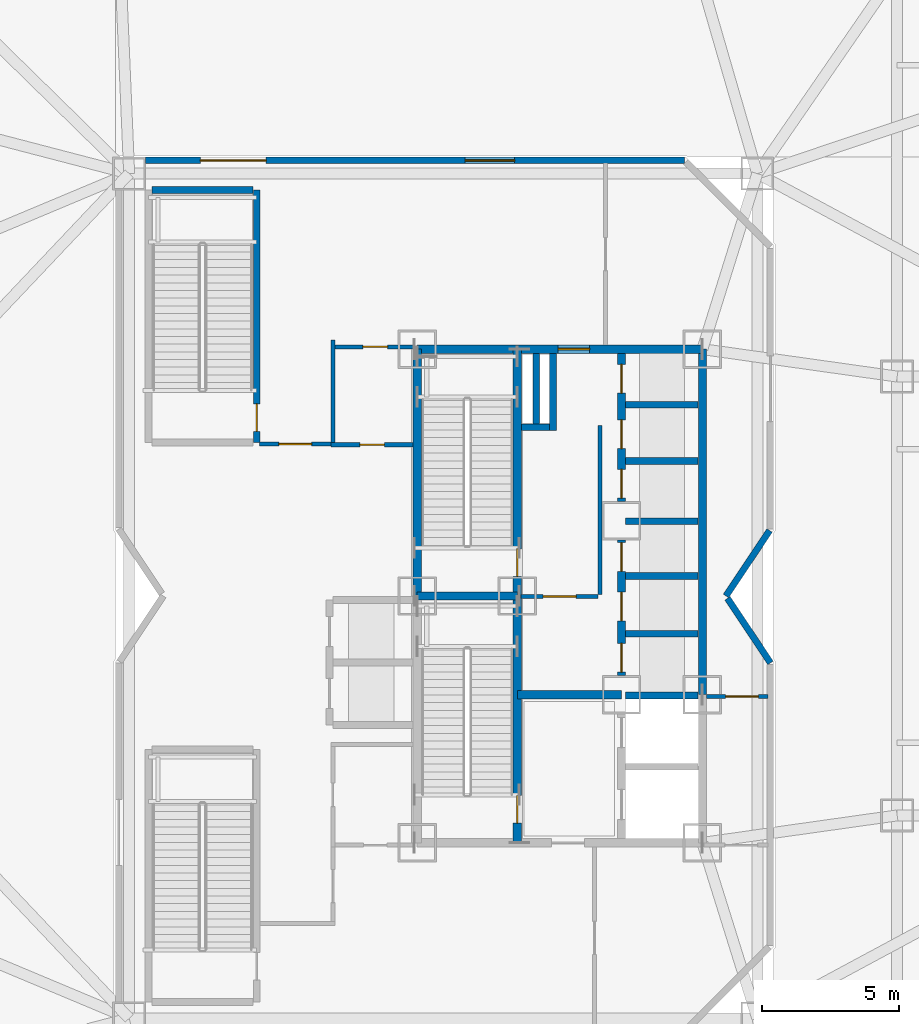
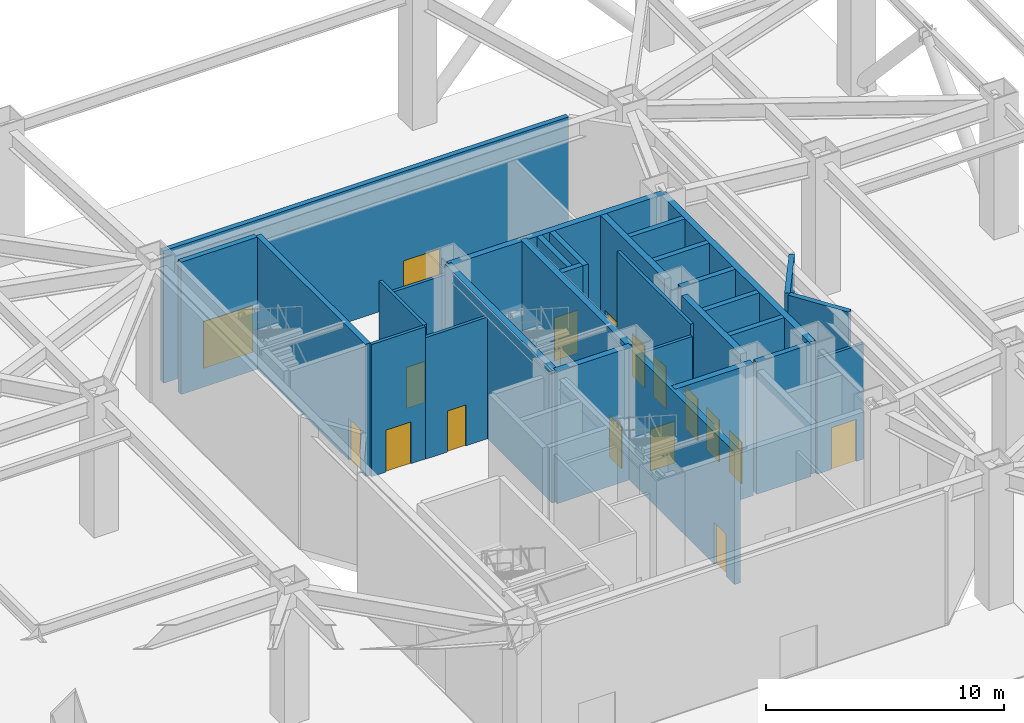
# One storey, part 10 of 14: 30 walls, 17 doors, 17 openings.
"""IFC4 building model written with IfcOpenShell, lengths in metres."""

from ifc_helpers import new_model, si_unit, direction, frame, frame_2d, origin, place, context, subcontext, project, spatial, rectangle, extrude, material, layer, layer_set, type_object, element, fill, save


model = new_model("IFC4")

# Units and contexts
model_context = context("Model", 3, precision=1e-05, world=origin(), true_north=direction((0.0, 1.0)))
body_context = subcontext(model_context, "Body", "Model", "MODEL_VIEW")
ifc_project = project(units=[si_unit("LENGTHUNIT", "METRE"), si_unit("AREAUNIT", "SQUARE_METRE"), si_unit("VOLUMEUNIT", "CUBIC_METRE"), si_unit("PLANEANGLEUNIT", "RADIAN"), si_unit("MASSUNIT", "GRAM", prefix="KILO")], contexts=[model_context])

# Site, building, storey
site_placement = place(None, origin())
site = spatial("IfcSite", under=ifc_project, at=site_placement, CompositionType="ELEMENT")
building_placement = place(site_placement, origin())
building = spatial("IfcBuilding", under=site, at=building_placement, Name="Khamvora Tower", CompositionType="ELEMENT")
storey_placement = place(building_placement, origin())
storey = spatial("IfcBuildingStorey", under=building, at=storey_placement, Name="L00", CompositionType="ELEMENT", Elevation=0.0)

# Wall
ifc_material_1 = material(Name="Concrete C50/60", Category="concrete")
ifc_layer_1 = layer(ifc_material_1, 0.300048828125)
ifc_layer_set_1 = layer_set([ifc_layer_1], Name="Concrete C50/60")
wall_type_1 = type_object("IfcWallType", Name="WAL-CORE-300", PredefinedType="SHEAR", material=ifc_layer_set_1)
wall_1_placement = place(storey_placement, frame((29.0, 28.0, 0.0), z_axis=(0.0, 0.0, 1.0), x_axis=(0.0, 1.0, 0.0)))
element("IfcWall", 1, at=wall_1_placement, inside=storey, type_object=wall_type_1, Name="L00 central core west north wall", PredefinedType="SHEAR", context=body_context, shape_type="SweptSolid", body=[
    extrude(rectangle(XDim=9.0, YDim=0.300048828125, at=frame_2d((4.5, 0.0))), origin(), (0.0, 0.0, 1.0), 6.780029296875),
])

# Wall, opening, door
wall_2_placement = place(storey_placement, frame((29.0, 37.0, 0.0), z_axis=(0.0, 0.0, 1.0), x_axis=(1.0, 0.0, 0.0)))
wall_2 = element("IfcWall", 2, at=wall_2_placement, inside=storey, type_object=wall_type_1, Name="L00 central core north wall", PredefinedType="SHEAR", context=body_context, shape_type="SweptSolid", body=[
    extrude(rectangle(XDim=10.39990234375, YDim=0.300048828125, at=frame_2d((5.199951171875, 0.0))), origin(), (0.0, 0.0, 1.0), 6.780029296875),
])
opening_1_placement = place(wall_2_placement, frame((5.139892578125, 0.0, 0.0)))
opening_1 = element("IfcOpeningElement", 3, at=opening_1_placement, cuts=wall_2, Name="Opening D-SC1", PredefinedType="OPENING", context=body_context, shape_type="SweptSolid", body=[
    extrude(rectangle(XDim=1.14990234375, YDim=2.199951171875, at=frame_2d((0.574951171875, 1.10009765625))), frame((0.0, 0.159912109375, 0.0), z_axis=(0.0, -1.0, 0.0), x_axis=(1.0, 0.0, 0.0)), (0.0, 0.0, 1.0), 0.320068359375),
])
ifc_material_2 = material(Name="Powder-Coated Steel and Hardwood Leaf", Category="steel")
door_type_1 = type_object("IfcDoorType", Name="DOR-SCHL-1150", OperationType="NOTDEFINED", PredefinedType="DOOR", material=ifc_material_2)
door_1_placement = place(opening_1_placement, origin())
door_1 = element("IfcDoor", 4, at=door_1_placement, inside=storey, type_object=door_type_1, Name="L00 north core lobby to corridor fire door", OperationType="SINGLE_SWING_LEFT", OverallHeight=2.199951171875, OverallWidth=1.14990234375, PredefinedType="DOOR", context=body_context, shape_type="SweptSolid", body=[
    extrude(rectangle(XDim=1.14990234375, YDim=2.199951171875, at=frame_2d((0.574951171875, 1.10009765625))), frame((0.0, 0.02490234375, 0.0), z_axis=(0.0, -1.0, 0.0), x_axis=(1.0, 0.0, 0.0)), (0.0, 0.0, 1.0), 0.050048828125),
])
fill(opening_1, door_1)

# Wall
wall_3_placement = place(storey_placement, frame((39.39990234375, 24.39990234375, 0.0), z_axis=(0.0, 0.0, 1.0), x_axis=(0.0, 1.0, 0.0)))
element("IfcWall", 5, at=wall_3_placement, inside=storey, type_object=wall_type_1, Name="L00 central core east north wall", PredefinedType="SHEAR", context=body_context, shape_type="SweptSolid", body=[
    extrude(rectangle(XDim=12.60009765625, YDim=0.300048828125, at=frame_2d((6.300048828125, 0.0))), origin(), (0.0, 0.0, 1.0), 6.780029296875),
])

# Wall, opening, door
wall_4_placement = place(storey_placement, frame((32.64990234375, 28.0, 0.0), z_axis=(0.0, 0.0, 1.0), x_axis=(0.0, -1.0, 0.0)))
wall_4 = element("IfcWall", 6, at=wall_4_placement, inside=storey, type_object=wall_type_1, Name="L00 central core stair south spine wall", PredefinedType="SHEAR", context=body_context, shape_type="SweptSolid", body=[
    extrude(rectangle(XDim=9.0, YDim=0.300048828125, at=frame_2d((4.5, 0.0))), origin(), (0.0, 0.0, 1.0), 6.780029296875),
])
opening_2_placement = place(wall_4_placement, frame((7.280029296875, 0.0, 0.0)))
opening_2 = element("IfcOpeningElement", 7, at=opening_2_placement, cuts=wall_4, Name="Opening D-ST1", PredefinedType="OPENING", context=body_context, shape_type="SweptSolid", body=[
    extrude(rectangle(XDim=1.0, YDim=2.14990234375, at=frame_2d((0.5, 1.074951171875))), frame((0.0, 0.159912109375, 0.0), z_axis=(0.0, -1.0, 0.0), x_axis=(1.0, 0.0, 0.0)), (0.0, 0.0, 1.0), 0.320068359375),
])
door_type_2 = type_object("IfcDoorType", Name="DOR-STAIR-1000", OperationType="NOTDEFINED", PredefinedType="DOOR", material=ifc_material_2)
door_2_placement = place(opening_2_placement, origin())
door_2 = element("IfcDoor", 8, at=door_2_placement, inside=storey, type_object=door_type_2, Name="L00 exit stair ST-01 fire door", OperationType="SINGLE_SWING_LEFT", OverallHeight=2.14990234375, OverallWidth=1.0, PredefinedType="DOOR", context=body_context, shape_type="SweptSolid", body=[
    extrude(rectangle(XDim=1.0, YDim=2.14990234375, at=frame_2d((0.5, 1.074951171875))), frame((0.0, 0.02490234375, 0.0), z_axis=(0.0, -1.0, 0.0), x_axis=(1.0, 0.0, 0.0)), (0.0, 0.0, 1.0), 0.050048828125),
])
fill(opening_2, door_2)

wall_5_placement = place(storey_placement, frame((32.64990234375, 37.0, 0.0), z_axis=(0.0, 0.0, 1.0), x_axis=(0.0, -1.0, 0.0)))
wall_5 = element("IfcWall", 9, at=wall_5_placement, inside=storey, type_object=wall_type_1, Name="L00 central core stair north spine wall", PredefinedType="SHEAR", context=body_context, shape_type="SweptSolid", body=[
    extrude(rectangle(XDim=9.0, YDim=0.300048828125, at=frame_2d((4.5, 0.0))), origin(), (0.0, 0.0, 1.0), 6.780029296875),
])
opening_3_placement = place(wall_5_placement, frame((7.280029296875, 0.0, 0.0)))
opening_3 = element("IfcOpeningElement", 10, at=opening_3_placement, cuts=wall_5, Name="Opening D-ST1", PredefinedType="OPENING", context=body_context, shape_type="SweptSolid", body=[
    extrude(rectangle(XDim=1.0, YDim=2.14990234375, at=frame_2d((0.5, 1.074951171875))), frame((0.0, 0.159912109375, 0.0), z_axis=(0.0, -1.0, 0.0), x_axis=(1.0, 0.0, 0.0)), (0.0, 0.0, 1.0), 0.320068359375),
])
door_3_placement = place(opening_3_placement, origin())
door_3 = element("IfcDoor", 11, at=door_3_placement, inside=storey, type_object=door_type_2, Name="L00 exit stair ST-02 fire door", OperationType="SINGLE_SWING_LEFT", OverallHeight=2.14990234375, OverallWidth=1.0, PredefinedType="DOOR", context=body_context, shape_type="SweptSolid", body=[
    extrude(rectangle(XDim=1.0, YDim=2.14990234375, at=frame_2d((0.5, 1.074951171875))), frame((0.0, 0.02490234375, 0.0), z_axis=(0.0, -1.0, 0.0), x_axis=(1.0, 0.0, 0.0)), (0.0, 0.0, 1.0), 0.050048828125),
])
fill(opening_3, door_3)

# Walls
wall_6_placement = place(storey_placement, frame((29.0, 28.0, 0.0), z_axis=(0.0, 0.0, 1.0), x_axis=(1.0, 0.0, 0.0)))
element("IfcWall", 12, at=wall_6_placement, inside=storey, type_object=wall_type_1, Name="L00 central core stair cross wall", PredefinedType="SHEAR", context=body_context, shape_type="SweptSolid", body=[
    extrude(rectangle(XDim=3.64990234375, YDim=0.300048828125, at=frame_2d((1.824951171875, 0.0))), origin(), (0.0, 0.0, 1.0), 6.780029296875),
])
wall_7_placement = place(storey_placement, frame((32.64990234375, 24.39990234375, 0.0), z_axis=(0.0, 0.0, 1.0), x_axis=(1.0, 0.0, 0.0)))
element("IfcWall", 13, at=wall_7_placement, inside=storey, type_object=wall_type_1, Name="L00 central core firefighting lobby north wall", PredefinedType="SHEAR", context=body_context, shape_type="SweptSolid", body=[
    extrude(rectangle(XDim=3.800048828125, YDim=0.300048828125, at=frame_2d((1.89990234375, 0.0))), origin(), (0.0, 0.0, 1.0), 6.780029296875),
])

# Wall, openings, doors
wall_8_placement = place(storey_placement, frame((36.449951171875, 25.10009765625, 0.0), z_axis=(0.0, 0.0, 1.0), x_axis=(0.0, 1.0, 0.0)))
wall_8 = element("IfcWall", 14, at=wall_8_placement, inside=storey, type_object=wall_type_1, Name="L00 central core lift bank central wall", PredefinedType="SHEAR", context=body_context, shape_type="SweptSolid", body=[
    extrude(rectangle(XDim=4.949951171875, YDim=0.300048828125, at=frame_2d((2.47509765625, 0.0))), origin(), (0.0, 0.0, 1.0), 6.780029296875),
])
opening_4_placement = place(wall_8_placement, frame((0.1201171875, 0.0, 0.0)))
opening_4 = element("IfcOpeningElement", 15, at=opening_4_placement, cuts=wall_8, Name="Opening LD-PL", PredefinedType="OPENING", context=body_context, shape_type="SweptSolid", body=[
    extrude(rectangle(XDim=1.050048828125, YDim=2.14990234375, at=frame_2d((0.52490234375, 1.074951171875))), frame((0.0, 0.159912109375, 0.0), z_axis=(0.0, -1.0, 0.0), x_axis=(1.0, 0.0, 0.0)), (0.0, 0.0, 1.0), 0.320068359375),
])
opening_5_placement = place(wall_8_placement, frame((1.9951171875, 0.0, 0.0)))
opening_5 = element("IfcOpeningElement", 16, at=opening_5_placement, cuts=wall_8, Name="Opening LD-PL", PredefinedType="OPENING", context=body_context, shape_type="SweptSolid", body=[
    extrude(rectangle(XDim=1.050048828125, YDim=2.14990234375, at=frame_2d((0.52490234375, 1.074951171875))), frame((0.0, 0.159912109375, 0.0), z_axis=(0.0, -1.0, 0.0), x_axis=(1.0, 0.0, 0.0)), (0.0, 0.0, 1.0), 0.320068359375),
])
opening_6_placement = place(wall_8_placement, frame((3.794921875, 0.0, 0.0)))
opening_6 = element("IfcOpeningElement", 17, at=opening_6_placement, cuts=wall_8, Name="Opening LD-PL", PredefinedType="OPENING", context=body_context, shape_type="SweptSolid", body=[
    extrude(rectangle(XDim=1.050048828125, YDim=2.14990234375, at=frame_2d((0.52490234375, 1.074951171875))), frame((0.0, 0.159912109375, 0.0), z_axis=(0.0, -1.0, 0.0), x_axis=(1.0, 0.0, 0.0)), (0.0, 0.0, 1.0), 0.320068359375),
])
door_type_3 = type_object("IfcDoorType", Name="DOR-LIFT-1050", OperationType="SLIDING_TO_LEFT", PredefinedType="DOOR", material=ifc_material_2)
door_4_placement = place(opening_4_placement, origin())
door_4 = element("IfcDoor", 18, at=door_4_placement, inside=storey, type_object=door_type_3, Name="L00 lift landing sliding door PL-01", OperationType="SLIDING_TO_LEFT", OverallHeight=2.14990234375, OverallWidth=1.050048828125, PredefinedType="DOOR", context=body_context, shape_type="SweptSolid", body=[
    extrude(rectangle(XDim=1.050048828125, YDim=2.14990234375, at=frame_2d((0.52490234375, 1.074951171875))), frame((0.0, 0.02490234375, 0.0), z_axis=(0.0, -1.0, 0.0), x_axis=(1.0, 0.0, 0.0)), (0.0, 0.0, 1.0), 0.050048828125),
])
fill(opening_4, door_4)
door_5_placement = place(opening_5_placement, origin())
door_5 = element("IfcDoor", 19, at=door_5_placement, inside=storey, type_object=door_type_3, Name="L00 lift landing sliding door PL-02", OperationType="SLIDING_TO_LEFT", OverallHeight=2.14990234375, OverallWidth=1.050048828125, PredefinedType="DOOR", context=body_context, shape_type="SweptSolid", body=[
    extrude(rectangle(XDim=1.050048828125, YDim=2.14990234375, at=frame_2d((0.52490234375, 1.074951171875))), frame((0.0, 0.02490234375, 0.0), z_axis=(0.0, -1.0, 0.0), x_axis=(1.0, 0.0, 0.0)), (0.0, 0.0, 1.0), 0.050048828125),
])
fill(opening_5, door_5)
door_6_placement = place(opening_6_placement, origin())
door_6 = element("IfcDoor", 20, at=door_6_placement, inside=storey, type_object=door_type_3, Name="L00 lift landing sliding door PL-03", OperationType="SLIDING_TO_LEFT", OverallHeight=2.14990234375, OverallWidth=1.050048828125, PredefinedType="DOOR", context=body_context, shape_type="SweptSolid", body=[
    extrude(rectangle(XDim=1.050048828125, YDim=2.14990234375, at=frame_2d((0.52490234375, 1.074951171875))), frame((0.0, 0.02490234375, 0.0), z_axis=(0.0, -1.0, 0.0), x_axis=(1.0, 0.0, 0.0)), (0.0, 0.0, 1.0), 0.050048828125),
])
fill(opening_6, door_6)

wall_9_placement = place(storey_placement, frame((36.449951171875, 31.449951171875, 0.0), z_axis=(0.0, 0.0, 1.0), x_axis=(0.0, 1.0, 0.0)))
wall_9 = element("IfcWall", 21, at=wall_9_placement, inside=storey, type_object=wall_type_1, Name="L00 central core lift bank north wall", PredefinedType="SHEAR", context=body_context, shape_type="SweptSolid", body=[
    extrude(rectangle(XDim=5.39599609375, YDim=0.300048828125, at=frame_2d((2.697998046875, 0.0))), origin(), (0.0, 0.0, 1.0), 6.780029296875),
])
opening_7_placement = place(wall_9_placement, frame((0.1201171875, 0.0, 0.0)))
opening_7 = element("IfcOpeningElement", 22, at=opening_7_placement, cuts=wall_9, Name="Opening LD-PL", PredefinedType="OPENING", context=body_context, shape_type="SweptSolid", body=[
    extrude(rectangle(XDim=1.050048828125, YDim=2.14990234375, at=frame_2d((0.52490234375, 1.074951171875))), frame((0.0, 0.159912109375, 0.0), z_axis=(0.0, -1.0, 0.0), x_axis=(1.0, 0.0, 0.0)), (0.0, 0.0, 1.0), 0.320068359375),
])
opening_8_placement = place(wall_9_placement, frame((1.925048828125, 0.0, 0.0)))
opening_8 = element("IfcOpeningElement", 23, at=opening_8_placement, cuts=wall_9, Name="Opening LD-PL", PredefinedType="OPENING", context=body_context, shape_type="SweptSolid", body=[
    extrude(rectangle(XDim=1.050048828125, YDim=2.14990234375, at=frame_2d((0.52490234375, 1.074951171875))), frame((0.0, 0.159912109375, 0.0), z_axis=(0.0, -1.0, 0.0), x_axis=(1.0, 0.0, 0.0)), (0.0, 0.0, 1.0), 0.320068359375),
])
opening_9_placement = place(wall_9_placement, frame((3.945068359375, 0.0, 0.0)))
opening_9 = element("IfcOpeningElement", 24, at=opening_9_placement, cuts=wall_9, Name="Opening LD-PL", PredefinedType="OPENING", context=body_context, shape_type="SweptSolid", body=[
    extrude(rectangle(XDim=1.050048828125, YDim=2.14990234375, at=frame_2d((0.52490234375, 1.074951171875))), frame((0.0, 0.159912109375, 0.0), z_axis=(0.0, -1.0, 0.0), x_axis=(1.0, 0.0, 0.0)), (0.0, 0.0, 1.0), 0.320068359375),
])
door_7_placement = place(opening_7_placement, origin())
door_7 = element("IfcDoor", 25, at=door_7_placement, inside=storey, type_object=door_type_3, Name="L00 lift landing sliding door PH-01", OperationType="SLIDING_TO_LEFT", OverallHeight=2.14990234375, OverallWidth=1.050048828125, PredefinedType="DOOR", context=body_context, shape_type="SweptSolid", body=[
    extrude(rectangle(XDim=1.050048828125, YDim=2.14990234375, at=frame_2d((0.52490234375, 1.074951171875))), frame((0.0, 0.02490234375, 0.0), z_axis=(0.0, -1.0, 0.0), x_axis=(1.0, 0.0, 0.0)), (0.0, 0.0, 1.0), 0.050048828125),
])
fill(opening_7, door_7)
door_8_placement = place(opening_8_placement, origin())
door_8 = element("IfcDoor", 26, at=door_8_placement, inside=storey, type_object=door_type_3, Name="L00 lift landing sliding door PH-02", OperationType="SLIDING_TO_LEFT", OverallHeight=2.14990234375, OverallWidth=1.050048828125, PredefinedType="DOOR", context=body_context, shape_type="SweptSolid", body=[
    extrude(rectangle(XDim=1.050048828125, YDim=2.14990234375, at=frame_2d((0.52490234375, 1.074951171875))), frame((0.0, 0.02490234375, 0.0), z_axis=(0.0, -1.0, 0.0), x_axis=(1.0, 0.0, 0.0)), (0.0, 0.0, 1.0), 0.050048828125),
])
fill(opening_8, door_8)
door_9_placement = place(opening_9_placement, origin())
door_9 = element("IfcDoor", 27, at=door_9_placement, inside=storey, type_object=door_type_3, Name="L00 lift landing sliding door PH-03", OperationType="SLIDING_TO_LEFT", OverallHeight=2.14990234375, OverallWidth=1.050048828125, PredefinedType="DOOR", context=body_context, shape_type="SweptSolid", body=[
    extrude(rectangle(XDim=1.050048828125, YDim=2.14990234375, at=frame_2d((0.52490234375, 1.074951171875))), frame((0.0, 0.02490234375, 0.0), z_axis=(0.0, -1.0, 0.0), x_axis=(1.0, 0.0, 0.0)), (0.0, 0.0, 1.0), 0.050048828125),
])
fill(opening_9, door_9)

# Wall
ifc_material_3 = material(Name="Fire-Rated Drywall and Steel Stud", Category="steel")
ifc_layer_2 = layer(ifc_material_3, 0.14990234375)
ifc_layer_set_2 = layer_set([ifc_layer_2], Name="Fire-Rated Drywall and Steel Stud")
wall_type_2 = type_object("IfcWallType", Name="WAL-CORR-150", PredefinedType="STANDARD", material=ifc_layer_set_2)
wall_10_placement = place(storey_placement, frame((35.6650390625, 34.214111328125, 0.0), z_axis=(0.0, 0.0, 1.0), x_axis=(0.0, -1.0, 0.0)))
element("IfcWall", 28, at=wall_10_placement, inside=storey, type_object=wall_type_2, Name="L00 interior partition wall 001", PredefinedType="STANDARD", context=body_context, shape_type="SweptSolid", body=[
    extrude(rectangle(XDim=6.1640625, YDim=0.14990234375, at=frame_2d((3.08203125, 0.0))), origin(), (0.0, 0.0, 1.0), 6.780029296875),
])

# Wall, opening, door
wall_11_placement = place(storey_placement, frame((35.60009765625, 27.985107421875, 0.0), z_axis=(0.0, 0.0, 1.0), x_axis=(-1.0, 0.0, 0.0)))
wall_11 = element("IfcWall", 29, at=wall_11_placement, inside=storey, type_object=wall_type_2, Name="L00 interior partition wall 002", PredefinedType="STANDARD", context=body_context, shape_type="SweptSolid", body=[
    extrude(rectangle(XDim=2.80615234375, YDim=0.14990234375, at=frame_2d((1.403076171875, 0.0))), origin(), (0.0, 0.0, 1.0), 6.237060546875),
])
opening_10_placement = place(wall_11_placement, frame((0.802978515625, 0.0, 0.0)))
opening_10 = element("IfcOpeningElement", 30, at=opening_10_placement, cuts=wall_11, Name="Opening D-CR1", PredefinedType="OPENING", context=body_context, shape_type="SweptSolid", body=[
    extrude(rectangle(XDim=1.199951171875, YDim=2.14990234375, at=frame_2d((0.60009765625, 1.074951171875))), frame((0.0, 0.0849609375, 0.0), z_axis=(0.0, -1.0, 0.0), x_axis=(1.0, 0.0, 0.0)), (0.0, 0.0, 1.0), 0.169921875),
])
door_type_4 = type_object("IfcDoorType", Name="DOR-CORR-1200", OperationType="NOTDEFINED", PredefinedType="DOOR", material=ifc_material_2)
door_10_placement = place(opening_10_placement, origin())
door_10 = element("IfcDoor", 31, at=door_10_placement, inside=storey, type_object=door_type_4, Name="L00 interior door EXP2-PLL", OperationType="SINGLE_SWING_LEFT", OverallHeight=2.14990234375, OverallWidth=1.199951171875, PredefinedType="DOOR", context=body_context, shape_type="SweptSolid", body=[
    extrude(rectangle(XDim=1.199951171875, YDim=2.14990234375, at=frame_2d((0.60009765625, 1.074951171875))), frame((0.0, 0.02490234375, 0.0), z_axis=(0.0, -1.0, 0.0), x_axis=(1.0, 0.0, 0.0)), (0.0, 0.0, 1.0), 0.050048828125),
])
fill(opening_10, door_10)

wall_12_placement = place(storey_placement, frame((25.860107421875, 33.534912109375, 0.0), z_axis=(0.0, 0.0, 1.0), x_axis=(-1.0, 0.0, 0.0)))
wall_12 = element("IfcWall", 32, at=wall_12_placement, inside=storey, type_object=wall_type_2, Name="L00 interior partition wall 007", PredefinedType="STANDARD", context=body_context, shape_type="SweptSolid", body=[
    extrude(rectangle(XDim=2.610107421875, YDim=0.14990234375, at=frame_2d((1.30517578125, 0.0))), origin(), (0.0, 0.0, 1.0), 6.780029296875),
])
opening_11_placement = place(wall_12_placement, frame((0.705078125, 0.0, 0.0)))
opening_11 = element("IfcOpeningElement", 33, at=opening_11_placement, cuts=wall_12, Name="Opening D-CR1", PredefinedType="OPENING", context=body_context, shape_type="SweptSolid", body=[
    extrude(rectangle(XDim=1.199951171875, YDim=2.14990234375, at=frame_2d((0.60009765625, 1.074951171875))), frame((0.0, 0.0849609375, 0.0), z_axis=(0.0, -1.0, 0.0), x_axis=(1.0, 0.0, 0.0)), (0.0, 0.0, 1.0), 0.169921875),
])
door_11_placement = place(opening_11_placement, origin())
door_11 = element("IfcDoor", 34, at=door_11_placement, inside=storey, type_object=door_type_4, Name="L00 interior door EXPN-SLOB", OperationType="SINGLE_SWING_RIGHT", OverallHeight=2.14990234375, OverallWidth=1.199951171875, PredefinedType="DOOR", context=body_context, shape_type="SweptSolid", body=[
    extrude(rectangle(XDim=1.199951171875, YDim=2.14990234375, at=frame_2d((0.60009765625, 1.074951171875))), frame((0.0, 0.02490234375, 0.0), z_axis=(0.0, -1.0, 0.0), x_axis=(1.0, 0.0, 0.0)), (0.0, 0.0, 1.0), 0.050048828125),
])
fill(opening_11, door_11)

wall_13_placement = place(storey_placement, frame((28.943115234375, 37.0849609375, 0.0), z_axis=(0.0, 0.0, 1.0), x_axis=(-1.0, 0.0, 0.0)))
wall_13 = element("IfcWall", 35, at=wall_13_placement, inside=storey, type_object=wall_type_2, Name="L00 interior partition wall 009", PredefinedType="STANDARD", context=body_context, shape_type="SweptSolid", body=[
    extrude(rectangle(XDim=2.943115234375, YDim=0.14990234375, at=frame_2d((1.4716796875, 0.0))), origin(), (0.0, 0.0, 1.0), 6.237060546875),
])
opening_12_placement = place(wall_13_placement, frame((1.02197265625, 0.0, 0.0)))
opening_12 = element("IfcOpeningElement", 36, at=opening_12_placement, cuts=wall_13, Name="Opening D-RM1", PredefinedType="OPENING", context=body_context, shape_type="SweptSolid", body=[
    extrude(rectangle(XDim=0.89990234375, YDim=2.10009765625, at=frame_2d((0.449951171875, 1.050048828125))), frame((0.0, 0.0849609375, 0.0), z_axis=(0.0, -1.0, 0.0), x_axis=(1.0, 0.0, 0.0)), (0.0, 0.0, 1.0), 0.169921875),
])
door_type_5 = type_object("IfcDoorType", Name="DOR-ROOM-900", OperationType="NOTDEFINED", PredefinedType="DOOR", material=ifc_material_2)
door_12_placement = place(opening_12_placement, origin())
door_12 = element("IfcDoor", 37, at=door_12_placement, inside=storey, type_object=door_type_5, Name="L00 interior door EXPN-LOAD", OperationType="SINGLE_SWING_RIGHT", OverallHeight=2.10009765625, OverallWidth=0.89990234375, PredefinedType="DOOR", context=body_context, shape_type="SweptSolid", body=[
    extrude(rectangle(XDim=0.89990234375, YDim=2.10009765625, at=frame_2d((0.449951171875, 1.050048828125))), frame((0.0, 0.02490234375, 0.0), z_axis=(0.0, -1.0, 0.0), x_axis=(1.0, 0.0, 0.0)), (0.0, 0.0, 1.0), 0.050048828125),
])
fill(opening_12, door_12)

# Wall
wall_14_placement = place(storey_placement, frame((25.925048828125, 37.3291015625, 0.0), z_axis=(0.0, 0.0, 1.0), x_axis=(0.0, -1.0, 0.0)))
element("IfcWall", 38, at=wall_14_placement, inside=storey, type_object=wall_type_2, Name="L00 interior partition wall 010", PredefinedType="STANDARD", context=body_context, shape_type="SweptSolid", body=[
    extrude(rectangle(XDim=3.72900390625, YDim=0.14990234375, at=frame_2d((1.864501953125, 0.0))), origin(), (0.0, 0.0, 1.0), 6.780029296875),
])

# Wall, opening, door
wall_15_placement = place(storey_placement, frame((25.860107421875, 33.514892578125, 0.0), z_axis=(0.0, 0.0, 1.0), x_axis=(1.0, 0.0, 0.0)))
wall_15 = element("IfcWall", 39, at=wall_15_placement, inside=storey, type_object=wall_type_2, Name="L00 interior partition wall 014", PredefinedType="STANDARD", context=body_context, shape_type="SweptSolid", body=[
    extrude(rectangle(XDim=2.995849609375, YDim=0.14990234375, at=frame_2d((1.498046875, 0.0))), origin(), (0.0, 0.0, 1.0), 6.237060546875),
])
opening_13_placement = place(wall_15_placement, frame((1.048095703125, 0.0, 0.0)))
opening_13 = element("IfcOpeningElement", 40, at=opening_13_placement, cuts=wall_15, Name="Opening D-RM1", PredefinedType="OPENING", context=body_context, shape_type="SweptSolid", body=[
    extrude(rectangle(XDim=0.89990234375, YDim=2.10009765625, at=frame_2d((0.449951171875, 1.050048828125))), frame((0.0, 0.0849609375, 0.0), z_axis=(0.0, -1.0, 0.0), x_axis=(1.0, 0.0, 0.0)), (0.0, 0.0, 1.0), 0.169921875),
])
door_13_placement = place(opening_13_placement, origin())
door_13 = element("IfcDoor", 41, at=door_13_placement, inside=storey, type_object=door_type_5, Name="L00 interior door SLOB-LOAD", OperationType="SINGLE_SWING_LEFT", OverallHeight=2.10009765625, OverallWidth=0.89990234375, PredefinedType="DOOR", context=body_context, shape_type="SweptSolid", body=[
    extrude(rectangle(XDim=0.89990234375, YDim=2.10009765625, at=frame_2d((0.449951171875, 1.050048828125))), frame((0.0, 0.02490234375, 0.0), z_axis=(0.0, -1.0, 0.0), x_axis=(1.0, 0.0, 0.0)), (0.0, 0.0, 1.0), 0.050048828125),
])
fill(opening_13, door_13)

wall_16_placement = place(storey_placement, frame((41.7880859375, 24.3349609375, 0.0), z_axis=(0.0, 0.0, 1.0), x_axis=(-1.0, 0.0, 0.0)))
wall_16 = element("IfcWall", 42, at=wall_16_placement, inside=storey, type_object=wall_type_2, Name="L00 interior partition wall 015", PredefinedType="STANDARD", context=body_context, shape_type="SweptSolid", body=[
    extrude(rectangle(XDim=2.244140625, YDim=0.14990234375, at=frame_2d((1.1220703125, 0.0))), origin(), (0.0, 0.0, 1.0), 5.9150390625),
])
opening_14_placement = place(wall_16_placement, frame((0.344970703125, 0.0, 0.0)))
opening_14 = element("IfcOpeningElement", 43, at=opening_14_placement, cuts=wall_16, Name="Opening D-CR1", PredefinedType="OPENING", context=body_context, shape_type="SweptSolid", body=[
    extrude(rectangle(XDim=1.199951171875, YDim=2.14990234375, at=frame_2d((0.60009765625, 1.074951171875))), frame((0.0, 0.0849609375, 0.0), z_axis=(0.0, -1.0, 0.0), x_axis=(1.0, 0.0, 0.0)), (0.0, 0.0, 1.0), 0.169921875),
])
door_14_placement = place(opening_14_placement, origin())
door_14 = element("IfcDoor", 44, at=door_14_placement, inside=storey, type_object=door_type_4, Name="L00 interior door RLOB-ECOR", OperationType="SINGLE_SWING_LEFT", OverallHeight=2.14990234375, OverallWidth=1.199951171875, PredefinedType="DOOR", context=body_context, shape_type="SweptSolid", body=[
    extrude(rectangle(XDim=1.199951171875, YDim=2.14990234375, at=frame_2d((0.60009765625, 1.074951171875))), frame((0.0, 0.02490234375, 0.0), z_axis=(0.0, -1.0, 0.0), x_axis=(1.0, 0.0, 0.0)), (0.0, 0.0, 1.0), 0.050048828125),
])
fill(opening_14, door_14)

# Wall, openings, doors
ifc_material_4 = material(Name="Precast concrete C40/50", Category="concrete")
ifc_layer_3 = layer(ifc_material_4, 0.239990234375)
ifc_layer_set_3 = layer_set([ifc_layer_3], Name="Precast concrete C40/50")
wall_type_3 = type_object("IfcWallType", Name="WAL-EXT-240", PredefinedType="STANDARD", material=ifc_layer_set_3)
wall_17_placement = place(storey_placement, frame((19.096923828125, 43.8798828125, 0.0), z_axis=(0.0, 0.0, 1.0), x_axis=(1.0, 0.0, 0.0)))
wall_17 = element("IfcWall", 45, at=wall_17_placement, inside=storey, type_object=wall_type_3, Name="L00 plinth enclosure wall N1", PredefinedType="STANDARD", context=body_context, shape_type="SweptSolid", body=[
    extrude(rectangle(XDim=19.653076171875, YDim=0.239990234375, at=frame_2d((9.82666015625, 0.0))), origin(), (0.0, 0.0, 1.0), 6.780029296875),
])
opening_15_placement = place(wall_17_placement, frame((11.653076171875, 0.0, 0.0)))
opening_15 = element("IfcOpeningElement", 46, at=opening_15_placement, cuts=wall_17, Name="Opening ED-02", PredefinedType="OPENING", context=body_context, shape_type="SweptSolid", body=[
    extrude(rectangle(XDim=1.800048828125, YDim=2.199951171875, at=frame_2d((0.89990234375, 1.10009765625))), frame((0.0, 0.1298828125, 0.0), z_axis=(0.0, -1.0, 0.0), x_axis=(1.0, 0.0, 0.0)), (0.0, 0.0, 1.0), 0.260009765625),
])
opening_16_placement = place(wall_17_placement, frame((2.0, 0.0, 0.0)))
opening_16 = element("IfcOpeningElement", 47, at=opening_16_placement, cuts=wall_17, Name="Opening ED-01", PredefinedType="OPENING", context=body_context, shape_type="SweptSolid", body=[
    extrude(rectangle(XDim=2.39990234375, YDim=2.39990234375, at=frame_2d((1.199951171875, 1.199951171875))), frame((0.0, 0.1298828125, 0.0), z_axis=(0.0, -1.0, 0.0), x_axis=(1.0, 0.0, 0.0)), (0.0, 0.0, 1.0), 0.260009765625),
])
ifc_material_5 = material(Name="Anodised Aluminium and Laminated Safety Glass", Category="aluminium")
door_type_6 = type_object("IfcDoorType", Name="DOR-EXT-1800", OperationType="DOUBLE_DOOR_SINGLE_SWING", PredefinedType="DOOR", material=ifc_material_5)
door_15_placement = place(opening_15_placement, origin())
door_15 = element("IfcDoor", 48, at=door_15_placement, inside=storey, type_object=door_type_6, Name="L00 north protected exit discharge door 1", OperationType="SINGLE_SWING_LEFT", OverallHeight=2.199951171875, OverallWidth=1.800048828125, PredefinedType="DOOR", context=body_context, shape_type="SweptSolid", body=[
    extrude(rectangle(XDim=1.800048828125, YDim=2.199951171875, at=frame_2d((0.89990234375, 1.10009765625))), frame((0.0, 0.02490234375, 0.0), z_axis=(0.0, -1.0, 0.0), x_axis=(1.0, 0.0, 0.0)), (0.0, 0.0, 1.0), 0.050048828125),
])
fill(opening_15, door_15)
door_type_7 = type_object("IfcDoorType", Name="DOR-EXT-2400", OperationType="DOUBLE_DOOR_SINGLE_SWING", PredefinedType="DOOR", material=ifc_material_5)
door_16_placement = place(opening_16_placement, origin())
door_16 = element("IfcDoor", 49, at=door_16_placement, inside=storey, type_object=door_type_7, Name="L00 residential main entrance double door", OperationType="SINGLE_SWING_LEFT", OverallHeight=2.39990234375, OverallWidth=2.39990234375, PredefinedType="DOOR", context=body_context, shape_type="SweptSolid", body=[
    extrude(rectangle(XDim=2.39990234375, YDim=2.39990234375, at=frame_2d((1.199951171875, 1.199951171875))), frame((0.0, 0.02490234375, 0.0), z_axis=(0.0, -1.0, 0.0), x_axis=(1.0, 0.0, 0.0)), (0.0, 0.0, 1.0), 0.050048828125),
])
fill(opening_16, door_16)

# Walls
wall_18_placement = place(storey_placement, frame((41.847900390625, 30.387939453125, 0.0), z_axis=(0.0, 0.0, 1.0), x_axis=(-0.55466093221, -0.83207646901, 0.0)))
element("IfcWall", 50, at=wall_18_placement, inside=storey, type_object=wall_type_3, Name="L00 plinth enclosure wall C71", PredefinedType="STANDARD", context=body_context, shape_type="SweptSolid", body=[
    extrude(rectangle(XDim=2.869873046875, YDim=0.239990234375, at=frame_2d((1.43505859375, 0.0))), origin(), (0.0, 0.0, 1.0), 6.780029296875),
])
wall_19_placement = place(storey_placement, frame((40.31201171875, 27.916015625, 0.0), z_axis=(0.0, 0.0, 1.0), x_axis=(0.554660333073, -0.832076868394, 0.0)))
element("IfcWall", 51, at=wall_19_placement, inside=storey, type_object=wall_type_3, Name="L00 plinth enclosure wall C81", PredefinedType="STANDARD", context=body_context, shape_type="SweptSolid", body=[
    extrude(rectangle(XDim=2.82666015625, YDim=0.239990234375, at=frame_2d((1.413330078125, 0.0))), origin(), (0.0, 0.0, 1.0), 6.780029296875),
])
ifc_material_6 = material(Name="Concrete C40/50", Category="concrete")
ifc_layer_4 = layer(ifc_material_6, 0.25)
ifc_layer_set_4 = layer_set([ifc_layer_4], Name="Concrete C40/50")
wall_type_4 = type_object("IfcWallType", Name="WAL-PODS-250", PredefinedType="SHEAR", material=ifc_layer_set_4)
for number, where, z_axis, x_axis, name in (
    (52, (36.60400390625, 24.375, 0.0), (0.0, 0.0, 1.0), (1.0, 0.0, 0.0), "L00 lift shaft divider wall FFL-02"),
    (53, (36.60400390625, 26.625, 0.0), (0.0, 0.0, 1.0), (1.0, 0.0, 0.0), "L00 lift shaft divider wall PL-01"),
    (54, (36.60400390625, 28.72509765625, 0.0), (0.0, 0.0, 1.0), (1.0, 0.0, 0.0), "L00 lift shaft divider wall PL-02"),
    (55, (36.60400390625, 30.72509765625, 0.0), (0.0, 0.0, 1.0), (1.0, 0.0, 0.0), "L00 lift shaft divider wall PL-03"),
    (56, (36.60400390625, 32.925048828125, 0.0), (0.0, 0.0, 1.0), (1.0, 0.0, 0.0), "L00 lift shaft divider wall PH-01"),
    (57, (36.60400390625, 34.97509765625, 0.0), (0.0, 0.0, 1.0), (1.0, 0.0, 0.0), "L00 lift shaft divider wall PH-02"),
):
    element("IfcWall", number, at=place(storey_placement, frame(where, z_axis=z_axis, x_axis=x_axis)), inside=storey, type_object=wall_type_4, Name=name, PredefinedType="SHEAR", context=body_context, shape_type="SweptSolid", body=[
        extrude(rectangle(XDim=2.64208984375, YDim=0.25, at=frame_2d((1.321044921875, 0.0))), origin(), (0.0, 0.0, 1.0), 6.780029296875),
    ])
wall_20_placement = place(storey_placement, frame((33.955078125, 34.02490234375, 0.0), z_axis=(0.0, 0.0, 1.0), x_axis=(0.0, 1.0, 0.0)))
element("IfcWall", 58, at=wall_20_placement, inside=storey, type_object=wall_type_4, Name="L00 vertical MEP riser shaft east enclosure wall", PredefinedType="SHEAR", context=body_context, shape_type="SweptSolid", body=[
    extrude(rectangle(XDim=2.821044921875, YDim=0.25, at=frame_2d((1.41064453125, 0.0))), origin(), (0.0, 0.0, 1.0), 6.780029296875),
])
wall_21_placement = place(storey_placement, frame((32.803955078125, 34.14990234375, 0.0), z_axis=(0.0, 0.0, 1.0), x_axis=(1.0, 0.0, 0.0)))
element("IfcWall", 59, at=wall_21_placement, inside=storey, type_object=wall_type_4, Name="L00 vertical MEP riser shaft south enclosure wall", PredefinedType="SHEAR", context=body_context, shape_type="SweptSolid", body=[
    extrude(rectangle(XDim=1.02197265625, YDim=0.25, at=frame_2d((0.510986328125, 0.0))), origin(), (0.0, 0.0, 1.0), 6.780029296875),
])
wall_22_placement = place(storey_placement, frame((33.340087890625, 34.279052734375, 0.0), z_axis=(0.0, 0.0, 1.0), x_axis=(0.0, 1.0, 0.0)))
element("IfcWall", 60, at=wall_22_placement, inside=storey, type_object=wall_type_4, Name="L00 vertical MEP riser shaft divider enclosure wall", PredefinedType="SHEAR", context=body_context, shape_type="SweptSolid", body=[
    extrude(rectangle(XDim=2.56689453125, YDim=0.25, at=frame_2d((1.283447265625, 0.0))), origin(), (0.0, 0.0, 1.0), 6.780029296875),
])

# Wall, opening, door
wall_23_placement = place(storey_placement, frame((23.14990234375, 42.800048828125, 0.0), z_axis=(0.0, 0.0, 1.0), x_axis=(0.0, -1.0, 0.0)))
wall_23 = element("IfcWall", 61, at=wall_23_placement, inside=storey, type_object=wall_type_4, Name="L00 podium stair core wall st4 e", PredefinedType="SHEAR", context=body_context, shape_type="SweptSolid", body=[
    extrude(rectangle(XDim=9.199951171875, YDim=0.25, at=frame_2d((4.60009765625, 0.0))), origin(), (0.0, 0.0, 1.0), 6.780029296875),
])
opening_17_placement = place(wall_23_placement, frame((7.800048828125, 0.0, 0.0)))
opening_17 = element("IfcOpeningElement", 62, at=opening_17_placement, cuts=wall_23, Name="Opening D-ST1", PredefinedType="OPENING", context=body_context, shape_type="SweptSolid", body=[
    extrude(rectangle(XDim=1.0, YDim=2.14990234375, at=frame_2d((0.5, 1.074951171875))), frame((0.0, 0.135009765625, 0.0), z_axis=(0.0, -1.0, 0.0), x_axis=(1.0, 0.0, 0.0)), (0.0, 0.0, 1.0), 0.27001953125),
])
door_17_placement = place(opening_17_placement, origin())
door_17 = element("IfcDoor", 63, at=door_17_placement, inside=storey, type_object=door_type_2, Name="L00 podium stair ST4 enclosure door", OperationType="SINGLE_SWING_LEFT", OverallHeight=2.14990234375, OverallWidth=1.0, PredefinedType="DOOR", context=body_context, shape_type="SweptSolid", body=[
    extrude(rectangle(XDim=1.0, YDim=2.14990234375, at=frame_2d((0.5, 1.074951171875))), frame((0.0, 0.02490234375, 0.0), z_axis=(0.0, -1.0, 0.0), x_axis=(1.0, 0.0, 0.0)), (0.0, 0.0, 1.0), 0.050048828125),
])
fill(opening_17, door_17)

# Wall
wall_24_placement = place(storey_placement, frame((19.3291015625, 42.800048828125, 0.0), z_axis=(0.0, 0.0, 1.0), x_axis=(1.0, 0.0, 0.0)))
element("IfcWall", 64, at=wall_24_placement, inside=storey, type_object=wall_type_4, Name="L00 podium stair core wall st4 n", PredefinedType="SHEAR", context=body_context, shape_type="SweptSolid", body=[
    extrude(rectangle(XDim=3.69189453125, YDim=0.25, at=frame_2d((1.845947265625, 0.0))), origin(), (0.0, 0.0, 1.0), 6.780029296875),
])

save(model, "model.ifc")
